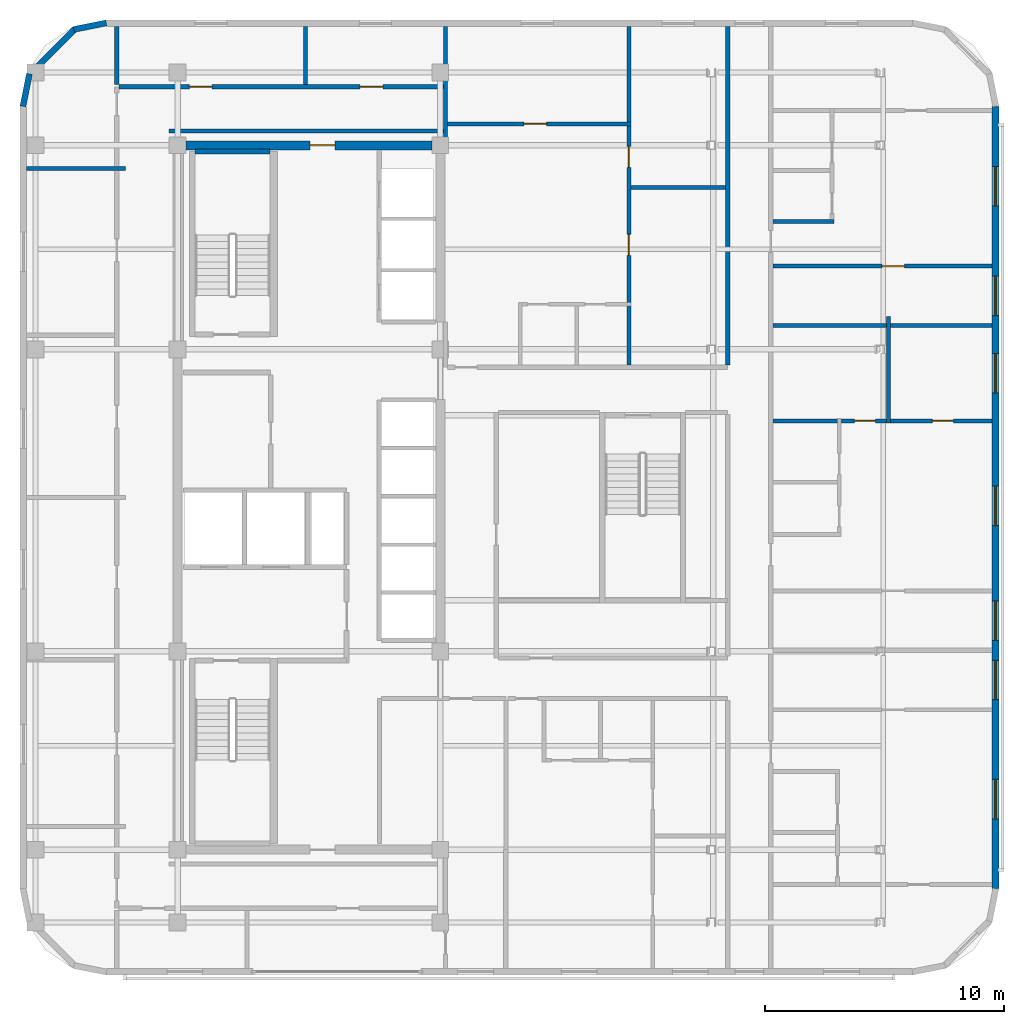
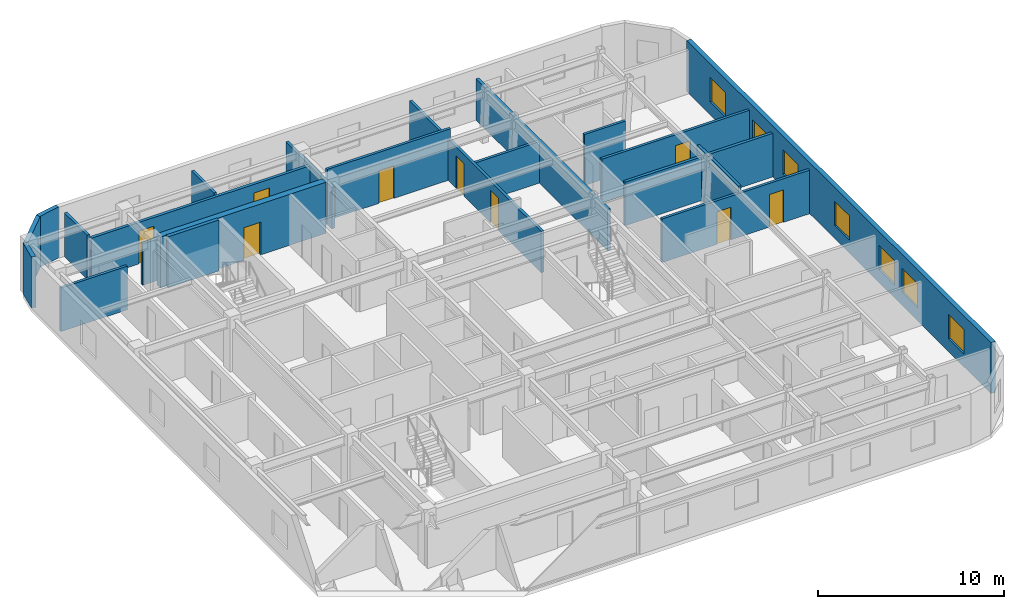
# One storey, part 7 of 11: 21 walls, 9 doors, 7 windows, 16 openings.
"""IFC4 building model written with IfcOpenShell, lengths in metres."""

from ifc_helpers import new_model, si_unit, direction, frame, frame_2d, origin, place, context, subcontext, project, spatial, rectangle, extrude, material, layer, layer_set, type_object, element, fill, save


model = new_model("IFC4")

# Units and contexts
model_context = context("Model", 3, precision=1e-05, world=origin(), true_north=direction((0.0, 1.0)))
body_context = subcontext(model_context, "Body", "Model", "MODEL_VIEW")
ifc_project = project(units=[si_unit("LENGTHUNIT", "METRE"), si_unit("AREAUNIT", "SQUARE_METRE"), si_unit("VOLUMEUNIT", "CUBIC_METRE"), si_unit("PLANEANGLEUNIT", "RADIAN"), si_unit("MASSUNIT", "GRAM", prefix="KILO")], contexts=[model_context])

# Site, building, storey
site_placement = place(None, origin())
site = spatial("IfcSite", under=ifc_project, at=site_placement, CompositionType="ELEMENT")
building_placement = place(site_placement, origin())
building = spatial("IfcBuilding", under=site, at=building_placement, Name="Ochreholt Gables", CompositionType="ELEMENT")
storey_placement = place(building_placement, frame((0.0, 0.0, 188.39990234375)))
storey = spatial("IfcBuildingStorey", under=building, at=storey_placement, Name="L49", CompositionType="ELEMENT", Elevation=188.39990234375)

# Wall, opening, door
ifc_material_1 = material(Name="Concrete 50 MPa", Category="concrete")
ifc_layer_1 = layer(ifc_material_1, 0.3798828125, Name="Concrete 50 MPa")
ifc_layer_set_1 = layer_set([ifc_layer_1], Name="Concrete 50 MPa")
wall_type_1 = type_object("IfcWallType", Name="WALL-CSW-380", PredefinedType="SHEAR", material=ifc_layer_set_1)
wall_1_placement = place(storey_placement, frame((24.550048828125, 38.75, 0.0), z_axis=(0.0, 0.0, 1.0), x_axis=(1.0, 0.0, 0.0)))
wall_1 = element("IfcWall", 1, at=wall_1_placement, inside=storey, type_object=wall_type_1, Name="L49 Core North Shear Wall", PredefinedType="SHEAR", context=body_context, shape_type="SweptSolid", body=[
    extrude(rectangle(XDim=10.300048828125, YDim=0.3798828125, at=frame_2d((5.14990234375, 0.0))), origin(), (0.0, 0.0, 1.0), 3.35009765625),
])
opening_1_placement = place(wall_1_placement, frame((5.199951171875, 0.0, 0.0)))
opening_1 = element("IfcOpeningElement", 2, at=opening_1_placement, cuts=wall_1, Name="Opening D-FLB", PredefinedType="OPENING", context=body_context, shape_type="SweptSolid", body=[
    extrude(rectangle(XDim=1.050048828125, YDim=2.14990234375, at=frame_2d((0.52490234375, 1.074951171875))), frame((0.0, 0.199951171875, 0.0), z_axis=(0.0, -1.0, 0.0), x_axis=(1.0, 0.0, 0.0)), (0.0, 0.0, 1.0), 0.39990234375),
])
ifc_material_2 = material(Name="Hollow Metal Steel", Category="steel")
door_type_1 = type_object("IfcDoorType", Name="DR-INT-FLB1050", OperationType="NOTDEFINED", PredefinedType="DOOR", material=ifc_material_2)
door_1_placement = place(opening_1_placement, frame((1.050048828125, 0.0, 0.0), z_axis=(0.0, 0.0, 1.0), x_axis=(-1.0, 0.0, 0.0)))
door_1 = element("IfcDoor", 3, at=door_1_placement, inside=storey, type_object=door_type_1, Name="L49 Door D-C2CRN-L49", OperationType="SINGLE_SWING_RIGHT", OverallHeight=2.14990234375, OverallWidth=1.050048828125, PredefinedType="DOOR", context=body_context, shape_type="SweptSolid", body=[
    extrude(rectangle(XDim=1.050048828125, YDim=2.14990234375, at=frame_2d((0.52490234375, 1.074951171875))), frame((0.0, 0.02490234375, 0.0), z_axis=(0.0, -1.0, 0.0), x_axis=(1.0, 0.0, 0.0)), (0.0, 0.0, 1.0), 0.050048828125),
])
fill(opening_1, door_1)

# Wall, openings, windows
ifc_material_3 = material(Name="Precast concrete 40 MPa", Category="concrete")
ifc_layer_2 = layer(ifc_material_3, 0.280029296875, Name="Precast concrete 40 MPa")
ifc_layer_set_2 = layer_set([ifc_layer_2], Name="Precast concrete 40 MPa")
wall_type_2 = type_object("IfcWallType", Name="WALL-EXT-280", PredefinedType="SOLIDWALL", material=ifc_layer_set_2)
wall_2_placement = place(storey_placement, frame((58.4599609375, 7.6201171875, 0.0), z_axis=(0.0, 0.0, 1.0), x_axis=(0.0, 1.0, 0.0)))
wall_2 = element("IfcWall", 4, at=wall_2_placement, inside=storey, type_object=wall_type_2, Name="L49 East Exterior Wall", PredefinedType="SOLIDWALL", context=body_context, shape_type="SweptSolid", body=[
    extrude(rectangle(XDim=32.759765625, YDim=0.280029296875, at=frame_2d((16.3798828125, 0.0))), origin(), (0.0, 0.0, 1.0), 3.35009765625),
])
opening_2_placement = place(wall_2_placement, frame((2.919921875, 0.0, 0.85009765625)))
opening_2 = element("IfcOpeningElement", 5, at=opening_2_placement, cuts=wall_2, Name="Opening WN-7", PredefinedType="OPENING", context=body_context, shape_type="SweptSolid", body=[
    extrude(rectangle(XDim=1.64990234375, YDim=1.60009765625, at=frame_2d((0.824951171875, 0.800048828125))), frame((0.0, 0.14990234375, 0.0), z_axis=(0.0, -1.0, 0.0), x_axis=(1.0, 0.0, 0.0)), (0.0, 0.0, 1.0), 0.300048828125),
])
opening_3_placement = place(wall_2_placement, frame((7.909912109375, 0.0, 0.85009765625)))
opening_3 = element("IfcOpeningElement", 6, at=opening_3_placement, cuts=wall_2, Name="Opening WN-7", PredefinedType="OPENING", context=body_context, shape_type="SweptSolid", body=[
    extrude(rectangle(XDim=1.64990234375, YDim=1.60009765625, at=frame_2d((0.824951171875, 0.800048828125))), frame((0.0, 0.14990234375, 0.0), z_axis=(0.0, -1.0, 0.0), x_axis=(1.0, 0.0, 0.0)), (0.0, 0.0, 1.0), 0.300048828125),
])
opening_4_placement = place(wall_2_placement, frame((10.39990234375, 0.0, 0.85009765625)))
opening_4 = element("IfcOpeningElement", 7, at=opening_4_placement, cuts=wall_2, Name="Opening WN-7", PredefinedType="OPENING", context=body_context, shape_type="SweptSolid", body=[
    extrude(rectangle(XDim=1.64990234375, YDim=1.60009765625, at=frame_2d((0.824951171875, 0.800048828125))), frame((0.0, 0.14990234375, 0.0), z_axis=(0.0, -1.0, 0.0), x_axis=(1.0, 0.0, 0.0)), (0.0, 0.0, 1.0), 0.300048828125),
])
opening_5_placement = place(wall_2_placement, frame((15.205078125, 0.0, 0.85009765625)))
opening_5 = element("IfcOpeningElement", 8, at=opening_5_placement, cuts=wall_2, Name="Opening WN-7", PredefinedType="OPENING", context=body_context, shape_type="SweptSolid", body=[
    extrude(rectangle(XDim=1.64990234375, YDim=1.60009765625, at=frame_2d((0.824951171875, 0.800048828125))), frame((0.0, 0.14990234375, 0.0), z_axis=(0.0, -1.0, 0.0), x_axis=(1.0, 0.0, 0.0)), (0.0, 0.0, 1.0), 0.300048828125),
])
opening_6_placement = place(wall_2_placement, frame((20.760009765625, 0.0, 0.85009765625)))
opening_6 = element("IfcOpeningElement", 9, at=opening_6_placement, cuts=wall_2, Name="Opening WN-7", PredefinedType="OPENING", context=body_context, shape_type="SweptSolid", body=[
    extrude(rectangle(XDim=1.64990234375, YDim=1.60009765625, at=frame_2d((0.824951171875, 0.800048828125))), frame((0.0, 0.14990234375, 0.0), z_axis=(0.0, -1.0, 0.0), x_axis=(1.0, 0.0, 0.0)), (0.0, 0.0, 1.0), 0.300048828125),
])
opening_7_placement = place(wall_2_placement, frame((24.0, 0.0, 0.85009765625)))
opening_7 = element("IfcOpeningElement", 10, at=opening_7_placement, cuts=wall_2, Name="Opening WN-7", PredefinedType="OPENING", context=body_context, shape_type="SweptSolid", body=[
    extrude(rectangle(XDim=1.64990234375, YDim=1.60009765625, at=frame_2d((0.824951171875, 0.800048828125))), frame((0.0, 0.14990234375, 0.0), z_axis=(0.0, -1.0, 0.0), x_axis=(1.0, 0.0, 0.0)), (0.0, 0.0, 1.0), 0.300048828125),
])
opening_8_placement = place(wall_2_placement, frame((28.590087890625, 0.0, 0.85009765625)))
opening_8 = element("IfcOpeningElement", 11, at=opening_8_placement, cuts=wall_2, Name="Opening WN-7", PredefinedType="OPENING", context=body_context, shape_type="SweptSolid", body=[
    extrude(rectangle(XDim=1.64990234375, YDim=1.60009765625, at=frame_2d((0.824951171875, 0.800048828125))), frame((0.0, 0.14990234375, 0.0), z_axis=(0.0, -1.0, 0.0), x_axis=(1.0, 0.0, 0.0)), (0.0, 0.0, 1.0), 0.300048828125),
])
ifc_material_4 = material(Name="Triple-Glazed Thermally Broken Aluminium Window", Category="aluminium")
window_type = type_object("IfcWindowType", Name="WIN-RES-1650", PartitioningType="SINGLE_PANEL", PredefinedType="WINDOW", material=ifc_material_4)
window_1_placement = place(opening_2_placement, origin())
window_1 = element("IfcWindow", 12, at=window_1_placement, inside=storey, type_object=window_type, Name="L49 Window W-EXT-E-L49-1", OverallHeight=1.60009765625, OverallWidth=1.64990234375, PartitioningType="SINGLE_PANEL", PredefinedType="WINDOW", context=body_context, shape_type="SweptSolid", body=[
    extrude(rectangle(XDim=1.64990234375, YDim=1.60009765625, at=frame_2d((0.824951171875, 0.800048828125))), frame((0.0, 0.030029296875, 0.0), z_axis=(0.0, -1.0, 0.0), x_axis=(1.0, 0.0, 0.0)), (0.0, 0.0, 1.0), 0.06005859375),
])
fill(opening_2, window_1)
window_2_placement = place(opening_3_placement, origin())
window_2 = element("IfcWindow", 13, at=window_2_placement, inside=storey, type_object=window_type, Name="L49 Window W-EXT-E-L49-2", OverallHeight=1.60009765625, OverallWidth=1.64990234375, PartitioningType="SINGLE_PANEL", PredefinedType="WINDOW", context=body_context, shape_type="SweptSolid", body=[
    extrude(rectangle(XDim=1.64990234375, YDim=1.60009765625, at=frame_2d((0.824951171875, 0.800048828125))), frame((0.0, 0.030029296875, 0.0), z_axis=(0.0, -1.0, 0.0), x_axis=(1.0, 0.0, 0.0)), (0.0, 0.0, 1.0), 0.06005859375),
])
fill(opening_3, window_2)
window_3_placement = place(opening_4_placement, origin())
window_3 = element("IfcWindow", 14, at=window_3_placement, inside=storey, type_object=window_type, Name="L49 Window W-EXT-E-L49-3", OverallHeight=1.60009765625, OverallWidth=1.64990234375, PartitioningType="SINGLE_PANEL", PredefinedType="WINDOW", context=body_context, shape_type="SweptSolid", body=[
    extrude(rectangle(XDim=1.64990234375, YDim=1.60009765625, at=frame_2d((0.824951171875, 0.800048828125))), frame((0.0, 0.030029296875, 0.0), z_axis=(0.0, -1.0, 0.0), x_axis=(1.0, 0.0, 0.0)), (0.0, 0.0, 1.0), 0.06005859375),
])
fill(opening_4, window_3)
window_4_placement = place(opening_5_placement, origin())
window_4 = element("IfcWindow", 15, at=window_4_placement, inside=storey, type_object=window_type, Name="L49 Window W-EXT-E-L49-4", OverallHeight=1.60009765625, OverallWidth=1.64990234375, PartitioningType="SINGLE_PANEL", PredefinedType="WINDOW", context=body_context, shape_type="SweptSolid", body=[
    extrude(rectangle(XDim=1.64990234375, YDim=1.60009765625, at=frame_2d((0.824951171875, 0.800048828125))), frame((0.0, 0.030029296875, 0.0), z_axis=(0.0, -1.0, 0.0), x_axis=(1.0, 0.0, 0.0)), (0.0, 0.0, 1.0), 0.06005859375),
])
fill(opening_5, window_4)
window_5_placement = place(opening_6_placement, origin())
window_5 = element("IfcWindow", 16, at=window_5_placement, inside=storey, type_object=window_type, Name="L49 Window W-EXT-E-L49-5", OverallHeight=1.60009765625, OverallWidth=1.64990234375, PartitioningType="SINGLE_PANEL", PredefinedType="WINDOW", context=body_context, shape_type="SweptSolid", body=[
    extrude(rectangle(XDim=1.64990234375, YDim=1.60009765625, at=frame_2d((0.824951171875, 0.800048828125))), frame((0.0, 0.030029296875, 0.0), z_axis=(0.0, -1.0, 0.0), x_axis=(1.0, 0.0, 0.0)), (0.0, 0.0, 1.0), 0.06005859375),
])
fill(opening_6, window_5)
window_6_placement = place(opening_7_placement, origin())
window_6 = element("IfcWindow", 17, at=window_6_placement, inside=storey, type_object=window_type, Name="L49 Window W-EXT-E-L49-6", OverallHeight=1.60009765625, OverallWidth=1.64990234375, PartitioningType="SINGLE_PANEL", PredefinedType="WINDOW", context=body_context, shape_type="SweptSolid", body=[
    extrude(rectangle(XDim=1.64990234375, YDim=1.60009765625, at=frame_2d((0.824951171875, 0.800048828125))), frame((0.0, 0.030029296875, 0.0), z_axis=(0.0, -1.0, 0.0), x_axis=(1.0, 0.0, 0.0)), (0.0, 0.0, 1.0), 0.06005859375),
])
fill(opening_7, window_6)
window_7_placement = place(opening_8_placement, origin())
window_7 = element("IfcWindow", 18, at=window_7_placement, inside=storey, type_object=window_type, Name="L49 Window W-EXT-E-L49-7", OverallHeight=1.60009765625, OverallWidth=1.64990234375, PartitioningType="SINGLE_PANEL", PredefinedType="WINDOW", context=body_context, shape_type="SweptSolid", body=[
    extrude(rectangle(XDim=1.64990234375, YDim=1.60009765625, at=frame_2d((0.824951171875, 0.800048828125))), frame((0.0, 0.030029296875, 0.0), z_axis=(0.0, -1.0, 0.0), x_axis=(1.0, 0.0, 0.0)), (0.0, 0.0, 1.0), 0.06005859375),
])
fill(opening_8, window_7)

# Walls
ifc_layer_3 = layer(ifc_material_3, 0.25, Name="Precast concrete 40 MPa")
ifc_layer_set_3 = layer_set([ifc_layer_3], Name="Precast concrete 40 MPa")
wall_type_3 = type_object("IfcWallType", Name="WALL-EXT-CNR", PredefinedType="SOLIDWALL", material=ifc_layer_set_3)
wall_3_placement = place(storey_placement, frame((21.216552734375, 43.875732421875, 0.0), z_axis=(0.0, 0.0, 1.0), x_axis=(-0.980809899341, -0.19496651342, 0.0)))
element("IfcWall", 19, at=wall_3_placement, inside=storey, type_object=wall_type_3, Name="L49 Rounded Corner Wall NW-1", PredefinedType="SOLIDWALL", context=body_context, shape_type="SweptSolid", body=[
    extrude(rectangle(XDim=1.388671875, YDim=0.25, at=frame_2d((0.6943359375, 0.0))), origin(), (0.0, 0.0, 1.0), 3.35009765625),
])
wall_4_placement = place(storey_placement, frame((19.905029296875, 43.632080078125, 0.0), z_axis=(0.0, 0.0, 1.0), x_axis=(-0.707106781187, -0.707106781187, 0.0)))
element("IfcWall", 20, at=wall_4_placement, inside=storey, type_object=wall_type_3, Name="L49 Rounded Corner Wall NW-2", PredefinedType="SOLIDWALL", context=body_context, shape_type="SweptSolid", body=[
    extrude(rectangle(XDim=2.7392578125, YDim=0.25, at=frame_2d((1.36962890625, 0.0))), origin(), (0.0, 0.0, 1.0), 3.35009765625),
])
wall_5_placement = place(storey_placement, frame((17.9951171875, 41.74560546875, 0.0), z_axis=(0.0, 0.0, 1.0), x_axis=(-0.195135625965, -0.9807762678, 0.0)))
element("IfcWall", 21, at=wall_5_placement, inside=storey, type_object=wall_type_3, Name="L49 Rounded Corner Wall NW-3", PredefinedType="SOLIDWALL", context=body_context, shape_type="SweptSolid", body=[
    extrude(rectangle(XDim=1.388671875, YDim=0.25, at=frame_2d((0.6943359375, 0.0))), origin(), (0.0, 0.0, 1.0), 3.35009765625),
])

# Wall, openings, doors
ifc_material_5 = material(Name="Fire-Rated Gypsum Acoustic Partition", Category="gypsum")
ifc_layer_4 = layer(ifc_material_5, 0.179931640625, Name="Fire-Rated Gypsum Acoustic Partition")
ifc_layer_set_4 = layer_set([ifc_layer_4], Name="Fire-Rated Gypsum Acoustic Partition")
wall_type_4 = type_object("IfcWallType", Name="WALL-INT-CR180", PredefinedType="STANDARD", material=ifc_layer_set_4)
wall_6_placement = place(storey_placement, frame((21.739990234375, 41.199951171875, 0.0), z_axis=(0.0, 0.0, 1.0), x_axis=(1.0, 0.0, 0.0)))
wall_6 = element("IfcWall", 22, at=wall_6_placement, inside=storey, type_object=wall_type_4, Name="L49 Interior Wall WI-C2WCN-L49", PredefinedType="STANDARD", context=body_context, shape_type="SweptSolid", body=[
    extrude(rectangle(XDim=13.679931640625, YDim=0.179931640625, at=frame_2d((6.83984375, 0.0))), origin(), (0.0, 0.0, 1.0), 2.72021484375),
])
opening_9_placement = place(wall_6_placement, frame((2.949951171875, 0.0, 0.0)))
opening_9 = element("IfcOpeningElement", 23, at=opening_9_placement, cuts=wall_6, Name="Opening D-GN1", PredefinedType="OPENING", context=body_context, shape_type="SweptSolid", body=[
    extrude(rectangle(XDim=0.949951171875, YDim=2.14990234375, at=frame_2d((0.47509765625, 1.074951171875))), frame((0.0, 0.099853515625, 0.0), z_axis=(0.0, -1.0, 0.0), x_axis=(1.0, 0.0, 0.0)), (0.0, 0.0, 1.0), 0.199951171875),
])
opening_10_placement = place(wall_6_placement, frame((10.110107421875, 0.0, 0.0)))
opening_10 = element("IfcOpeningElement", 24, at=opening_10_placement, cuts=wall_6, Name="Opening D-GN1", PredefinedType="OPENING", context=body_context, shape_type="SweptSolid", body=[
    extrude(rectangle(XDim=0.949951171875, YDim=2.14990234375, at=frame_2d((0.47509765625, 1.074951171875))), frame((0.0, 0.099853515625, 0.0), z_axis=(0.0, -1.0, 0.0), x_axis=(1.0, 0.0, 0.0)), (0.0, 0.0, 1.0), 0.199951171875),
])
ifc_material_6 = material(Name="Engineered Oak Timber", Category="wood")
door_type_2 = type_object("IfcDoorType", Name="DR-INT-GEN950", OperationType="NOTDEFINED", PredefinedType="DOOR", material=ifc_material_6)
door_2_placement = place(opening_9_placement, origin())
door_2 = element("IfcDoor", 25, at=door_2_placement, inside=storey, type_object=door_type_2, Name="L49 Door D-C2NRS1-L49", OperationType="SINGLE_SWING_RIGHT", OverallHeight=2.14990234375, OverallWidth=0.949951171875, PredefinedType="DOOR", context=body_context, shape_type="SweptSolid", body=[
    extrude(rectangle(XDim=0.949951171875, YDim=2.14990234375, at=frame_2d((0.47509765625, 1.074951171875))), frame((0.0, 0.02490234375, 0.0), z_axis=(0.0, -1.0, 0.0), x_axis=(1.0, 0.0, 0.0)), (0.0, 0.0, 1.0), 0.050048828125),
])
fill(opening_9, door_2)
door_3_placement = place(opening_10_placement, origin())
door_3 = element("IfcDoor", 26, at=door_3_placement, inside=storey, type_object=door_type_2, Name="L49 Door D-C2NRS2-L49", OperationType="SINGLE_SWING_LEFT", OverallHeight=2.14990234375, OverallWidth=0.949951171875, PredefinedType="DOOR", context=body_context, shape_type="SweptSolid", body=[
    extrude(rectangle(XDim=0.949951171875, YDim=2.14990234375, at=frame_2d((0.47509765625, 1.074951171875))), frame((0.0, 0.02490234375, 0.0), z_axis=(0.0, -1.0, 0.0), x_axis=(1.0, 0.0, 0.0)), (0.0, 0.0, 1.0), 0.050048828125),
])
fill(opening_10, door_3)

# Walls
wall_7_placement = place(storey_placement, frame((23.85009765625, 39.35009765625, 0.0), z_axis=(0.0, 0.0, 1.0), x_axis=(1.0, 0.0, 0.0)))
element("IfcWall", 27, at=wall_7_placement, inside=storey, type_object=wall_type_4, Name="L49 Interior Wall WI-C2WCN2-L49", PredefinedType="STANDARD", context=body_context, shape_type="SweptSolid", body=[
    extrude(rectangle(XDim=11.56982421875, YDim=0.179931640625, at=frame_2d((5.784912109375, 0.0))), origin(), (0.0, 0.0, 1.0), 2.72021484375),
])
wall_8_placement = place(storey_placement, frame((47.242919921875, 29.550048828125, 0.0), z_axis=(0.0, 0.0, 1.0), x_axis=(0.0, 1.0, 0.0)))
element("IfcWall", 28, at=wall_8_placement, inside=storey, type_object=wall_type_4, Name="L49 Interior Wall WI-C2FEGW3-L49", PredefinedType="STANDARD", context=body_context, shape_type="SweptSolid", body=[
    extrude(rectangle(XDim=14.169921875, YDim=0.179931640625, at=frame_2d((7.0849609375, 0.0))), origin(), (0.0, 0.0, 1.0), 2.72021484375),
])
ifc_material_7 = material(Name="Double-Stud Acoustic Demising Wall", Category="gypsum")
ifc_layer_5 = layer(ifc_material_7, 0.179931640625, Name="Double-Stud Acoustic Demising Wall")
ifc_layer_set_5 = layer_set([ifc_layer_5], Name="Double-Stud Acoustic Demising Wall")
wall_type_5 = type_object("IfcWallType", Name="WALL-INT-DM180", PredefinedType="PARTITIONING", material=ifc_layer_set_5)
wall_9_placement = place(storey_placement, frame((21.64990234375, 41.2900390625, 0.0), z_axis=(0.0, 0.0, 1.0), x_axis=(0.0, 1.0, 0.0)))
element("IfcWall", 29, at=wall_9_placement, inside=storey, type_object=wall_type_5, Name="L49 Interior Wall WI-C2WWN-L49", PredefinedType="PARTITIONING", context=body_context, shape_type="SweptSolid", body=[
    extrude(rectangle(XDim=2.429931640625, YDim=0.179931640625, at=frame_2d((1.21484375, 0.0))), origin(), (0.0, 0.0, 1.0), 2.869140625),
])
wall_10_placement = place(storey_placement, frame((35.419921875, 38.75, 0.0), z_axis=(0.0, 0.0, 1.0), x_axis=(0.0, 1.0, 0.0)))
element("IfcWall", 30, at=wall_10_placement, inside=storey, type_object=wall_type_5, Name="L49 Interior Wall WI-C2NEN-L49", PredefinedType="PARTITIONING", context=body_context, shape_type="SweptSolid", body=[
    extrude(rectangle(XDim=4.969970703125, YDim=0.179931640625, at=frame_2d((2.48486328125, 0.0))), origin(), (0.0, 0.0, 1.0), 2.72021484375),
])
wall_11_placement = place(storey_placement, frame((49.133056640625, 31.199951171875, 0.0), z_axis=(0.0, 0.0, 1.0), x_axis=(1.0, 0.0, 0.0)))
element("IfcWall", 31, at=wall_11_placement, inside=storey, type_object=wall_type_5, Name="L49 Interior Wall WI-C2FED3-L49", PredefinedType="PARTITIONING", context=body_context, shape_type="SweptSolid", body=[
    extrude(rectangle(XDim=9.18701171875, YDim=0.179931640625, at=frame_2d((4.593505859375, 0.0))), origin(), (0.0, 0.0, 1.0), 2.869140625),
])
ifc_material_8 = material(Name="Moisture-Resistant Plumbing Chase Wall", Category="gypsum")
ifc_layer_6 = layer(ifc_material_8, 0.159912109375, Name="Moisture-Resistant Plumbing Chase Wall")
ifc_layer_set_6 = layer_set([ifc_layer_6], Name="Moisture-Resistant Plumbing Chase Wall")
wall_type_6 = type_object("IfcWallType", Name="WALL-INT-PL160", PredefinedType="PLUMBINGWALL", material=ifc_layer_set_6)
wall_12_placement = place(storey_placement, frame((49.133056640625, 35.56005859375, 0.0), z_axis=(0.0, 0.0, 1.0), x_axis=(1.0, 0.0, 0.0)))
element("IfcWall", 32, at=wall_12_placement, inside=storey, type_object=wall_type_6, Name="L49 Interior Wall WU-L49FE3-FYS", PredefinedType="PLUMBINGWALL", context=body_context, shape_type="SweptSolid", body=[
    extrude(rectangle(XDim=2.56005859375, YDim=0.159912109375, at=frame_2d((1.280029296875, 0.0))), origin(), (0.0, 0.0, 1.0), 3.35009765625),
])

# Wall, openings, doors
ifc_material_9 = material(Name="Gypsum Acoustic Stud Partition", Category="gypsum")
ifc_layer_7 = layer(ifc_material_9, 0.1650390625, Name="Gypsum Acoustic Stud Partition")
ifc_layer_set_7 = layer_set([ifc_layer_7], Name="Gypsum Acoustic Stud Partition")
wall_type_7 = type_object("IfcWallType", Name="WALL-INT-PT165", PredefinedType="PARTITIONING", material=ifc_layer_set_7)
wall_13_placement = place(storey_placement, frame((43.10302734375, 29.550048828125, 0.0), z_axis=(0.0, 0.0, 1.0), x_axis=(0.0, 1.0, 0.0)))
wall_13 = element("IfcWall", 33, at=wall_13_placement, inside=storey, type_object=wall_type_7, Name="L49 Interior Wall WU-L49N1-MNX", PredefinedType="PARTITIONING", context=body_context, shape_type="SweptSolid", body=[
    extrude(rectangle(XDim=14.169921875, YDim=0.1650390625, at=frame_2d((7.0849609375, 0.0))), origin(), (0.0, 0.0, 1.0), 2.72021484375),
])
opening_11_placement = place(wall_13_placement, frame((4.592529296875, 0.0, 0.0)))
opening_11 = element("IfcOpeningElement", 34, at=opening_11_placement, cuts=wall_13, Name="Opening D-BD2", PredefinedType="OPENING", context=body_context, shape_type="SweptSolid", body=[
    extrude(rectangle(XDim=0.8798828125, YDim=2.139892578125, at=frame_2d((0.43994140625, 1.06982421875))), frame((0.0, 0.092529296875, 0.0), z_axis=(0.0, -1.0, 0.0), x_axis=(1.0, 0.0, 0.0)), (0.0, 0.0, 1.0), 0.18505859375),
])
opening_12_placement = place(wall_13_placement, frame((8.280029296875, 0.0, 0.0)))
opening_12 = element("IfcOpeningElement", 35, at=opening_12_placement, cuts=wall_13, Name="Opening D-BD2", PredefinedType="OPENING", context=body_context, shape_type="SweptSolid", body=[
    extrude(rectangle(XDim=0.8798828125, YDim=2.139892578125, at=frame_2d((0.43994140625, 1.06982421875))), frame((0.0, 0.092529296875, 0.0), z_axis=(0.0, -1.0, 0.0), x_axis=(1.0, 0.0, 0.0)), (0.0, 0.0, 1.0), 0.18505859375),
])
door_type_3 = type_object("IfcDoorType", Name="DR-INT-BED880", OperationType="NOTDEFINED", PredefinedType="DOOR", material=ifc_material_6)
door_4_placement = place(opening_11_placement, origin())
door_4 = element("IfcDoor", 36, at=door_4_placement, inside=storey, type_object=door_type_3, Name="L49 Door D-U-L49N1-BD1", OperationType="SINGLE_SWING_LEFT", OverallHeight=2.139892578125, OverallWidth=0.8798828125, PredefinedType="DOOR", context=body_context, shape_type="SweptSolid", body=[
    extrude(rectangle(XDim=0.8798828125, YDim=2.139892578125, at=frame_2d((0.43994140625, 1.06982421875))), frame((0.0, 0.02490234375, 0.0), z_axis=(0.0, -1.0, 0.0), x_axis=(1.0, 0.0, 0.0)), (0.0, 0.0, 1.0), 0.050048828125),
])
fill(opening_11, door_4)
door_5_placement = place(opening_12_placement, origin())
door_5 = element("IfcDoor", 37, at=door_5_placement, inside=storey, type_object=door_type_3, Name="L49 Door D-U-L49N1-BD2", OperationType="SINGLE_SWING_RIGHT", OverallHeight=2.139892578125, OverallWidth=0.8798828125, PredefinedType="DOOR", context=body_context, shape_type="SweptSolid", body=[
    extrude(rectangle(XDim=0.8798828125, YDim=2.139892578125, at=frame_2d((0.43994140625, 1.06982421875))), frame((0.0, 0.02490234375, 0.0), z_axis=(0.0, -1.0, 0.0), x_axis=(1.0, 0.0, 0.0)), (0.0, 0.0, 1.0), 0.050048828125),
])
fill(opening_12, door_5)

# Wall, opening, door
wall_14_placement = place(storey_placement, frame((35.510009765625, 39.64990234375, 0.0), z_axis=(0.0, 0.0, 1.0), x_axis=(1.0, 0.0, 0.0)))
wall_14 = element("IfcWall", 38, at=wall_14_placement, inside=storey, type_object=wall_type_7, Name="L49 Interior Wall WU-L49N1-DNY", PredefinedType="PARTITIONING", context=body_context, shape_type="SweptSolid", body=[
    extrude(rectangle(XDim=7.673095703125, YDim=0.1650390625, at=frame_2d((3.83642578125, 0.0))), origin(), (0.0, 0.0, 1.0), 3.35009765625),
])
opening_13_placement = place(wall_14_placement, frame((3.201416015625, 0.0, 0.0)))
opening_13 = element("IfcOpeningElement", 39, at=opening_13_placement, cuts=wall_14, Name="Opening D-GN1", PredefinedType="OPENING", context=body_context, shape_type="SweptSolid", body=[
    extrude(rectangle(XDim=0.949951171875, YDim=2.14990234375, at=frame_2d((0.47509765625, 1.074951171875))), frame((0.0, 0.092529296875, 0.0), z_axis=(0.0, -1.0, 0.0), x_axis=(1.0, 0.0, 0.0)), (0.0, 0.0, 1.0), 0.18505859375),
])
door_6_placement = place(opening_13_placement, origin())
door_6 = element("IfcDoor", 40, at=door_6_placement, inside=storey, type_object=door_type_2, Name="L49 Door D-U-L49N1-DIN", OperationType="SINGLE_SWING_RIGHT", OverallHeight=2.14990234375, OverallWidth=0.949951171875, PredefinedType="DOOR", context=body_context, shape_type="SweptSolid", body=[
    extrude(rectangle(XDim=0.949951171875, YDim=2.14990234375, at=frame_2d((0.47509765625, 1.074951171875))), frame((0.0, 0.02490234375, 0.0), z_axis=(0.0, -1.0, 0.0), x_axis=(1.0, 0.0, 0.0)), (0.0, 0.0, 1.0), 0.050048828125),
])
fill(opening_13, door_6)

# Wall
wall_15_placement = place(storey_placement, frame((43.18310546875, 36.97998046875, 0.0), z_axis=(0.0, 0.0, 1.0), x_axis=(1.0, 0.0, 0.0)))
element("IfcWall", 41, at=wall_15_placement, inside=storey, type_object=wall_type_7, Name="L49 Interior Wall WU-L49N1-RDV", PredefinedType="PARTITIONING", context=body_context, shape_type="SweptSolid", body=[
    extrude(rectangle(XDim=3.969970703125, YDim=0.1650390625, at=frame_2d((1.98486328125, 0.0))), origin(), (0.0, 0.0, 1.0), 2.72021484375),
])

# Wall, openings, doors
wall_16_placement = place(storey_placement, frame((49.133056640625, 27.2099609375, 0.0), z_axis=(0.0, 0.0, 1.0), x_axis=(1.0, 0.0, 0.0)))
wall_16 = element("IfcWall", 42, at=wall_16_placement, inside=storey, type_object=wall_type_7, Name="L49 Interior Wall WU-L49FE2-MN", PredefinedType="PARTITIONING", context=body_context, shape_type="SweptSolid", body=[
    extrude(rectangle(XDim=9.18701171875, YDim=0.1650390625, at=frame_2d((4.593505859375, 0.0))), origin(), (0.0, 0.0, 1.0), 2.869140625),
])
opening_14_placement = place(wall_16_placement, frame((3.41943359375, 0.0, 0.0)))
opening_14 = element("IfcOpeningElement", 43, at=opening_14_placement, cuts=wall_16, Name="Opening D-BD2", PredefinedType="OPENING", context=body_context, shape_type="SweptSolid", body=[
    extrude(rectangle(XDim=0.8798828125, YDim=2.139892578125, at=frame_2d((0.43994140625, 1.06982421875))), frame((0.0, 0.092529296875, 0.0), z_axis=(0.0, -1.0, 0.0), x_axis=(1.0, 0.0, 0.0)), (0.0, 0.0, 1.0), 0.18505859375),
])
opening_15_placement = place(wall_16_placement, frame((6.685791015625, 0.0, 0.0)))
opening_15 = element("IfcOpeningElement", 44, at=opening_15_placement, cuts=wall_16, Name="Opening D-BD2", PredefinedType="OPENING", context=body_context, shape_type="SweptSolid", body=[
    extrude(rectangle(XDim=0.8798828125, YDim=2.139892578125, at=frame_2d((0.43994140625, 1.06982421875))), frame((0.0, 0.092529296875, 0.0), z_axis=(0.0, -1.0, 0.0), x_axis=(1.0, 0.0, 0.0)), (0.0, 0.0, 1.0), 0.18505859375),
])
door_7_placement = place(opening_14_placement, origin())
door_7 = element("IfcDoor", 45, at=door_7_placement, inside=storey, type_object=door_type_3, Name="L49 Door D-U-L49FE2-BD1", OperationType="SINGLE_SWING_LEFT", OverallHeight=2.139892578125, OverallWidth=0.8798828125, PredefinedType="DOOR", context=body_context, shape_type="SweptSolid", body=[
    extrude(rectangle(XDim=0.8798828125, YDim=2.139892578125, at=frame_2d((0.43994140625, 1.06982421875))), frame((0.0, 0.02490234375, 0.0), z_axis=(0.0, -1.0, 0.0), x_axis=(1.0, 0.0, 0.0)), (0.0, 0.0, 1.0), 0.050048828125),
])
fill(opening_14, door_7)
door_8_placement = place(opening_15_placement, origin())
door_8 = element("IfcDoor", 46, at=door_8_placement, inside=storey, type_object=door_type_3, Name="L49 Door D-U-L49FE2-BD2", OperationType="SINGLE_SWING_RIGHT", OverallHeight=2.139892578125, OverallWidth=0.8798828125, PredefinedType="DOOR", context=body_context, shape_type="SweptSolid", body=[
    extrude(rectangle(XDim=0.8798828125, YDim=2.139892578125, at=frame_2d((0.43994140625, 1.06982421875))), frame((0.0, 0.02490234375, 0.0), z_axis=(0.0, -1.0, 0.0), x_axis=(1.0, 0.0, 0.0)), (0.0, 0.0, 1.0), 0.050048828125),
])
fill(opening_15, door_8)

# Wall
wall_17_placement = place(storey_placement, frame((53.977783203125, 27.1298828125, 0.0), z_axis=(0.0, 0.0, 1.0), x_axis=(0.0, 1.0, 0.0)))
element("IfcWall", 47, at=wall_17_placement, inside=storey, type_object=wall_type_7, Name="L49 Interior Wall WU-L49FE2-BSD", PredefinedType="PARTITIONING", context=body_context, shape_type="SweptSolid", body=[
    extrude(rectangle(XDim=4.460205078125, YDim=0.1650390625, at=frame_2d((2.22998046875, 0.0))), origin(), (0.0, 0.0, 1.0), 3.35009765625),
])

# Wall, opening, door
wall_18_placement = place(storey_placement, frame((49.133056640625, 33.68994140625, 0.0), z_axis=(0.0, 0.0, 1.0), x_axis=(1.0, 0.0, 0.0)))
wall_18 = element("IfcWall", 48, at=wall_18_placement, inside=storey, type_object=wall_type_7, Name="L49 Interior Wall WU-L49FE3-DNW", PredefinedType="PARTITIONING", context=body_context, shape_type="SweptSolid", body=[
    extrude(rectangle(XDim=9.18701171875, YDim=0.1650390625, at=frame_2d((4.593505859375, 0.0))), origin(), (0.0, 0.0, 1.0), 2.869140625),
])
opening_16_placement = place(wall_18_placement, frame((4.568603515625, 0.0, 0.0)))
opening_16 = element("IfcOpeningElement", 49, at=opening_16_placement, cuts=wall_18, Name="Opening D-GN1", PredefinedType="OPENING", context=body_context, shape_type="SweptSolid", body=[
    extrude(rectangle(XDim=0.949951171875, YDim=2.14990234375, at=frame_2d((0.47509765625, 1.074951171875))), frame((0.0, 0.092529296875, 0.0), z_axis=(0.0, -1.0, 0.0), x_axis=(1.0, 0.0, 0.0)), (0.0, 0.0, 1.0), 0.18505859375),
])
door_9_placement = place(opening_16_placement, origin())
door_9 = element("IfcDoor", 50, at=door_9_placement, inside=storey, type_object=door_type_2, Name="L49 Door D-U-L49FE3-DIN", OperationType="SINGLE_SWING_LEFT", OverallHeight=2.14990234375, OverallWidth=0.949951171875, PredefinedType="DOOR", context=body_context, shape_type="SweptSolid", body=[
    extrude(rectangle(XDim=0.949951171875, YDim=2.14990234375, at=frame_2d((0.47509765625, 1.074951171875))), frame((0.0, 0.02490234375, 0.0), z_axis=(0.0, -1.0, 0.0), x_axis=(1.0, 0.0, 0.0)), (0.0, 0.0, 1.0), 0.050048828125),
])
fill(opening_16, door_9)

# Walls
wall_19_placement = place(storey_placement, frame((17.8798828125, 37.77490234375, 0.0), z_axis=(0.0, 0.0, 1.0), x_axis=(1.0, 0.0, 0.0)))
element("IfcWall", 51, at=wall_19_placement, inside=storey, type_object=wall_type_7, Name="L49 Interior Wall WU-L49W3-SDV", PredefinedType="PARTITIONING", context=body_context, shape_type="SweptSolid", body=[
    extrude(rectangle(XDim=4.130126953125, YDim=0.1650390625, at=frame_2d((2.06494140625, 0.0))), origin(), (0.0, 0.0, 1.0), 2.869140625),
])
wall_20_placement = place(storey_placement, frame((29.550048828125, 41.2900390625, 0.0), z_axis=(0.0, 0.0, 1.0), x_axis=(0.0, 1.0, 0.0)))
element("IfcWall", 52, at=wall_20_placement, inside=storey, type_object=wall_type_7, Name="L49 Interior Wall WI-C2PKN-L49", PredefinedType="PARTITIONING", context=body_context, shape_type="SweptSolid", body=[
    extrude(rectangle(XDim=2.429931640625, YDim=0.1650390625, at=frame_2d((1.21484375, 0.0))), origin(), (0.0, 0.0, 1.0), 2.869140625),
])
ifc_layer_8 = layer(ifc_material_1, 0.219970703125, Name="Concrete 50 MPa")
ifc_layer_set_8 = layer_set([ifc_layer_8], Name="Concrete 50 MPa")
wall_type_8 = type_object("IfcWallType", Name="WALL-STW-220", PredefinedType="SHEAR", material=ifc_layer_set_8)
wall_21_placement = place(storey_placement, frame((24.919921875, 38.489990234375, 0.0), z_axis=(0.0, 0.0, 1.0), x_axis=(1.0, 0.0, 0.0)))
element("IfcWall", 53, at=wall_21_placement, inside=storey, type_object=wall_type_8, Name="L49 Exit Stair 2 North Wall", PredefinedType="SHEAR", context=body_context, shape_type="SweptSolid", body=[
    extrude(rectangle(XDim=3.16015625, YDim=0.219970703125, at=frame_2d((1.580078125, 0.0))), origin(), (0.0, 0.0, 1.0), 3.35009765625),
])

save(model, "model.ifc")
